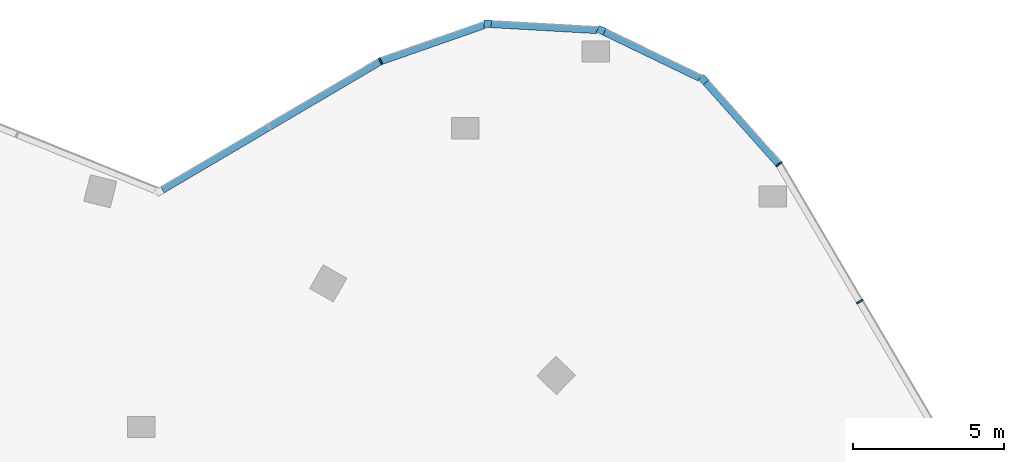
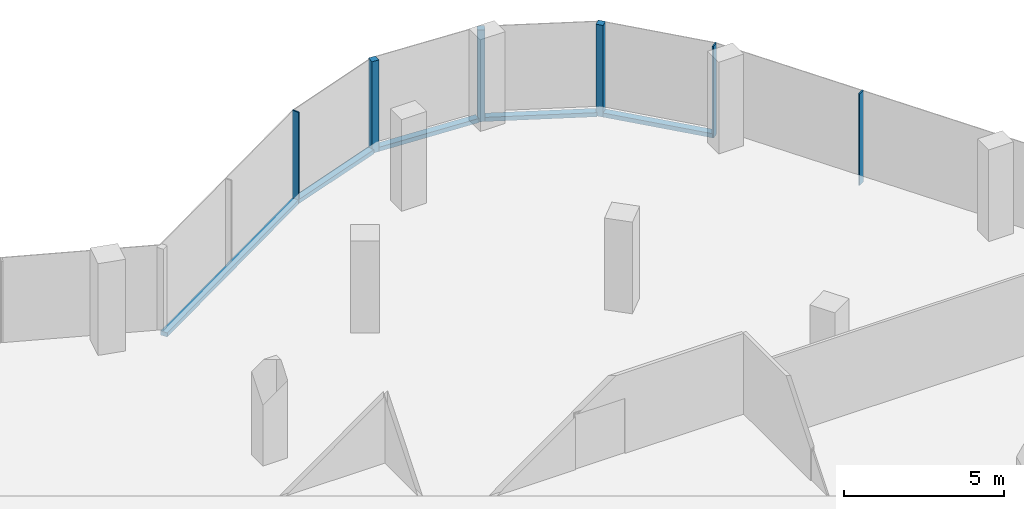
# One storey, part 9 of 15: 11 members, 6 elements without a shape of their own.
"""IFC4 building model written with IfcOpenShell, lengths in metres."""

import ifcopenshell
import ifcopenshell.guid

model = None  # the IFC model being written
_history = None  # IfcOwnerHistory: only IFC2X3 demands one
_inside = {}  # id of a spatial element -> (the spatial element, [elements in it])
_under = {}  # id of a project, library or spatial element -> (it, [spatial elements below it])
_declared = {}  # id of a project -> (the project, [libraries it declares])
_typed = {}  # id of a type object -> (the type object, [elements of that type])
_made_of = {}  # id of a material, layer set ... -> (it, [elements and type objects made of it])


def new_model(schema):
    """Start an empty IFC model of exactly this schema.

    Asked for "IFC4X3", IfcOpenShell would pick the latest addendum, in which some entities
    have other attributes; the version numbers below select the first issue.
    IFC2X3 requires an IfcOwnerHistory on every rooted entity: one is made here for all.
    """
    global model, _history
    if schema == "IFC4X3":
        model = ifcopenshell.file(schema_version=(4, 3, 0, 0))
    else:
        model = ifcopenshell.file(schema=schema)
    _inside.clear()
    _under.clear()
    _declared.clear()
    _typed.clear()
    _made_of.clear()
    _history = None
    if model.schema == "IFC2X3":
        org = make("IfcOrganization", Name="unknown")
        user = make(
            "IfcPersonAndOrganization",
            ThePerson=make("IfcPerson", FamilyName="unknown"),
            TheOrganization=org,
        )
        app = make(
            "IfcApplication",
            ApplicationDeveloper=org,
            Version="unknown",
            ApplicationFullName="unknown",
            ApplicationIdentifier="unknown",
        )
        _history = make(
            "IfcOwnerHistory",
            OwningUser=user,
            OwningApplication=app,
            ChangeAction="ADDED",
            CreationDate=0,
        )
    return model


def make(cls, **values):
    """One entity of the class cls with the attributes given. An attribute that is None is left unset."""
    return model.create_entity(
        cls, **{name: value for name, value in values.items() if value is not None}
    )


def rooted(cls, **values):
    """An entity with a GlobalId (a new one), such as an element, a storey or a relation."""
    return make(cls, GlobalId=ifcopenshell.guid.new(), OwnerHistory=_history, **values)


def si_unit(unit_type, name, prefix=None):
    """IfcSIUnit, for example si_unit("LENGTHUNIT", "METRE", prefix="MILLI")."""
    return make("IfcSIUnit", UnitType=unit_type, Prefix=prefix, Name=name)


def assignment(units):
    """IfcUnitAssignment: the units of a project."""
    return None if units is None else make("IfcUnitAssignment", Units=units)


def point(xyz):
    """IfcCartesianPoint."""
    return None if xyz is None else make("IfcCartesianPoint", Coordinates=xyz)


def direction(xyz):
    """IfcDirection."""
    return None if xyz is None else make("IfcDirection", DirectionRatios=xyz)


def frame(location, z_axis=None, x_axis=None):
    """IfcAxis2Placement3D, a coordinate frame: its origin and axes. An axis left out is left unset."""
    return make(
        "IfcAxis2Placement3D",
        Location=point(location),
        Axis=direction(z_axis),
        RefDirection=direction(x_axis),
    )


def frame_2d(location, x_axis=None):
    """IfcAxis2Placement2D, a coordinate frame in the plane: its origin and x axis."""
    return make(
        "IfcAxis2Placement2D", Location=point(location), RefDirection=direction(x_axis)
    )


def origin():
    """The frame at (0, 0, 0) with its axes left unset."""
    return frame((0.0, 0.0, 0.0))


def origin_2d():
    """The frame at (0, 0) in the plane with its x axis left unset."""
    return frame_2d((0.0, 0.0))


def place(relative_to, where):
    """IfcLocalPlacement: puts the frame where relative to a parent placement (None: the world)."""
    return make(
        "IfcLocalPlacement", PlacementRelTo=relative_to, RelativePlacement=where
    )


def context(
    kind, dimensions, precision=None, world=None, true_north=None, identifier=None
):
    """IfcGeometricRepresentationContext, for example the 3D "Model" context."""
    return make(
        "IfcGeometricRepresentationContext",
        ContextIdentifier=identifier,
        ContextType=kind,
        CoordinateSpaceDimension=dimensions,
        Precision=precision,
        WorldCoordinateSystem=world,
        TrueNorth=true_north,
    )


def subcontext(parent, identifier, kind, view, scale=None):
    """IfcGeometricRepresentationSubContext, for example "Body" below "Model"."""
    return make(
        "IfcGeometricRepresentationSubContext",
        ContextIdentifier=identifier,
        ContextType=kind,
        ParentContext=parent,
        TargetScale=scale,
        TargetView=view,
    )


def project(units=None, contexts=None):
    """IfcProject with its units and contexts."""
    return rooted(
        "IfcProject",
        Name="project",
        RepresentationContexts=contexts,
        UnitsInContext=assignment(units),
    )


def spatial(cls, under=None, at=None, **own):
    """A site, building, storey or space (cls), placed at a placement, below another one or the project."""
    s = rooted(cls, ObjectPlacement=at, **own)
    if under is not None:
        _under.setdefault(under.id(), (under, []))[1].append(s)
    return s


def profile(cls, at=None, kind="AREA", **sizes):
    """A parametric profile (cls). Its sizes go by their IFC names, for example OverallWidth=200.0."""
    return make(cls, ProfileType=kind, Position=at, **sizes)


def rectangle(**sizes):
    """IfcRectangleProfileDef."""
    return profile("IfcRectangleProfileDef", **sizes)


def extrude(swept, where, along, depth):
    """IfcExtrudedAreaSolid: the profile swept, set in the frame where, extruded along a direction by depth."""
    return make(
        "IfcExtrudedAreaSolid",
        SweptArea=swept,
        Position=where,
        ExtrudedDirection=direction(along),
        Depth=depth,
    )


def shape(context_of_items, identifier, shape_type, items):
    """IfcShapeRepresentation: the items that make up one representation, for example the "Body"."""
    return make(
        "IfcShapeRepresentation",
        ContextOfItems=context_of_items,
        RepresentationIdentifier=identifier,
        RepresentationType=shape_type,
        Items=items,
    )


def material(Name=None, Category=None):
    """IfcMaterial."""
    return make("IfcMaterial", Name=Name, Category=Category)


def material_profile(
    of_material, cross_section, Name=None, Category=None, Priority=None
):
    """IfcMaterialProfile: a cross section and its material."""
    return make(
        "IfcMaterialProfile",
        Name=Name,
        Material=of_material,
        Profile=cross_section,
        Priority=Priority,
        Category=Category,
    )


def profile_set(profiles, Name=None, composite=None):
    """IfcMaterialProfileSet."""
    return make(
        "IfcMaterialProfileSet",
        Name=Name,
        MaterialProfiles=profiles,
        CompositeProfile=composite,
    )


def made_of(thing, what):
    """Note that an element or type object is made of a material, layer set ...; save() writes the relation."""
    if what is not None:
        _made_of.setdefault(what.id(), (what, []))[1].append(thing)
    return thing


def type_object(cls, material=None, **own):
    """A type object (cls), such as IfcWallType, which elements share."""
    return made_of(rooted(cls, **own), material)


def element(
    cls,
    number,
    at=None,
    inside=None,
    cuts=None,
    type_object=None,
    material=None,
    context=None,
    identifier="Body",
    shape_type=None,
    held_by="IfcProductDefinitionShape",
    body=None,
    shapes=None,
    **own,
):
    """One element of the class cls, such as IfcWall. Its Tag is "e" and its number.

    at: its placement. inside: the storey or other place that contains it. cuts: it is an
    opening in that element (IfcRelVoidsElement). A single representation is given by context,
    identifier, shape_type and body (its items); several are given by shapes. held_by: the class
    of the entity that holds the representations. save() writes the other relations.
    """
    e = rooted(cls, Tag="e%d" % number, ObjectPlacement=at, **own)
    if body is not None:
        shapes = [shape(context, identifier, shape_type, body)]
    if shapes is not None:
        e.Representation = make(held_by, Representations=shapes)
    if inside is not None:
        _inside.setdefault(inside.id(), (inside, []))[1].append(e)
    if cuts is not None:
        rooted(
            "IfcRelVoidsElement", RelatingBuildingElement=cuts, RelatedOpeningElement=e
        )
    if type_object is not None:
        _typed.setdefault(type_object.id(), (type_object, []))[1].append(e)
    return made_of(e, material)


def aggregate(whole, parts):
    """IfcRelAggregates: a whole, such as a stair, and the parts it consists of."""
    return rooted("IfcRelAggregates", RelatingObject=whole, RelatedObjects=parts)


def save(model, path):
    """Write the relations noted so far, then the file.

    IfcRelAggregates (storeys below a building ...), IfcRelContainedInSpatialStructure (elements
    in a storey), IfcRelDefinesByType, IfcRelAssociatesMaterial and IfcRelDeclares: one each for
    every whole, place, type object, material and project.
    """
    for whole, parts in _under.values():
        aggregate(whole, parts)
    for where, things in _inside.values():
        rooted(
            "IfcRelContainedInSpatialStructure",
            RelatedElements=things,
            RelatingStructure=where,
        )
    for kind, things in _typed.values():
        rooted("IfcRelDefinesByType", RelatedObjects=things, RelatingType=kind)
    for what, things in _made_of.values():
        rooted("IfcRelAssociatesMaterial", RelatedObjects=things, RelatingMaterial=what)
    for by, libraries in _declared.values():
        rooted("IfcRelDeclares", RelatingContext=by, RelatedDefinitions=libraries)
    model.write(path)


model = new_model("IFC4")

# Units and contexts
model_context = context("Model", 3, precision=1e-05, world=origin(), true_north=direction((0.0, 1.0)))
body_context = subcontext(model_context, "Body", "Model", "MODEL_VIEW")
ifc_project = project(units=[si_unit("LENGTHUNIT", "METRE"), si_unit("AREAUNIT", "SQUARE_METRE"), si_unit("VOLUMEUNIT", "CUBIC_METRE"), si_unit("PLANEANGLEUNIT", "RADIAN"), si_unit("MASSUNIT", "GRAM", prefix="KILO")], contexts=[model_context])

# Site, building, storey
site_placement = place(None, origin())
site = spatial("IfcSite", under=ifc_project, at=site_placement, CompositionType="ELEMENT")
building_placement = place(site_placement, origin())
building = spatial("IfcBuilding", under=site, at=building_placement, Name="Orlundy Tower", CompositionType="ELEMENT")
storey_placement = place(building_placement, frame((0.0, 0.0, 278.89990234375)))
storey = spatial("IfcBuildingStorey", under=building, at=storey_placement, Name="L74", CompositionType="ELEMENT", Elevation=278.89990234375)

# Curtain wall, member
ifc_material_1 = material(Name="Aluminium bronze anodised", Category="aluminium")
curtain_wall_type = type_object("IfcCurtainWallType", Name="CW6 wall", PredefinedType="NOTDEFINED", material=ifc_material_1)
curtain_wall_1_placement = place(storey_placement, origin())
curtain_wall_1 = element("IfcCurtainWall", 1, at=curtain_wall_1_placement, inside=storey, type_object=curtain_wall_type, Name="CW6 run 020", PredefinedType="NOTDEFINED")
ifc_material_2 = material(Name="Aluminium bronze anodised", Category="aluminium")
ifc_material_profile_1 = material_profile(ifc_material_2, rectangle(XDim=0.239990234375, YDim=0.239990234375, at=origin_2d()), Name="CW6 corner post 240x240")
ifc_profile_set_1 = profile_set([ifc_material_profile_1], Name="Aluminium bronze anodised")
member_type_1 = type_object("IfcMemberType", Name="CW6 corner post 240x240", PredefinedType="MULLION", material=ifc_profile_set_1)
member_1_placement = place(storey_placement, frame((20.0419921875, 34.30908203125, -0.39990234375), z_axis=(0.0, 0.0, 1.0), x_axis=(0.056650299193, 0.998394082315, 0.0)))
member_1 = element("IfcMember", 2, at=member_1_placement, type_object=member_type_1, Name="CW6 mullion 42", PredefinedType="MULLION", context=body_context, shape_type="SweptSolid", body=[
    extrude(rectangle(XDim=0.239990234375, YDim=0.239990234375, at=origin_2d()), origin(), (0.0, 0.0, 1.0), 3.5),
])

curtain_wall_2_placement = place(storey_placement, origin())
curtain_wall_2 = element("IfcCurtainWall", 3, at=curtain_wall_2_placement, inside=storey, type_object=curtain_wall_type, Name="CW6 run 021", PredefinedType="NOTDEFINED")
member_2_placement = place(storey_placement, frame((23.79052734375, 34.096435546875, -0.39990234375), z_axis=(0.0, 0.0, 1.0), x_axis=(0.434326546158, 0.900755489188, 0.0)))
member_2 = element("IfcMember", 4, at=member_2_placement, type_object=member_type_1, Name="CW6 mullion 43", PredefinedType="MULLION", context=body_context, shape_type="SweptSolid", body=[
    extrude(rectangle(XDim=0.239990234375, YDim=0.239990234375, at=origin_2d()), origin(), (0.0, 0.0, 1.0), 3.5),
])

curtain_wall_3_placement = place(storey_placement, origin())
curtain_wall_3 = element("IfcCurtainWall", 5, at=curtain_wall_3_placement, inside=storey, type_object=curtain_wall_type, Name="CW6 run 022", PredefinedType="NOTDEFINED")
member_3_placement = place(storey_placement, frame((27.172607421875, 32.4658203125, -0.39990234375), z_axis=(0.0, 0.0, 1.0), x_axis=(0.746157794518, 0.665769138425, 0.0)))
member_3 = element("IfcMember", 6, at=member_3_placement, type_object=member_type_1, Name="CW6 mullion 44", PredefinedType="MULLION", context=body_context, shape_type="SweptSolid", body=[
    extrude(rectangle(XDim=0.239990234375, YDim=0.239990234375, at=origin_2d()), origin(), (0.0, 0.0, 1.0), 3.5),
])

curtain_wall_4_placement = place(storey_placement, origin())
curtain_wall_4 = element("IfcCurtainWall", 7, at=curtain_wall_4_placement, inside=storey, type_object=curtain_wall_type, Name="CW6 run 019", PredefinedType="NOTDEFINED")
ifc_material_3 = material(Name="Aluminium bronze anodised", Category="aluminium")
ifc_material_profile_2 = material_profile(ifc_material_3, rectangle(XDim=0.239990234375, YDim=0.050048828125, at=origin_2d()), Name="CW6 mullion 50x240")
ifc_profile_set_2 = profile_set([ifc_material_profile_2], Name="Aluminium bronze anodised")
member_type_2 = type_object("IfcMemberType", Name="CW6 mullion 50x240", PredefinedType="MULLION", material=ifc_profile_set_2)
member_4_placement = place(storey_placement, frame((16.50927734375, 33.075439453125, -0.39990234375), z_axis=(0.0, 0.0, 1.0), x_axis=(-0.420620734298, 0.907236572168, 0.0)))
member_4 = element("IfcMember", 8, at=member_4_placement, type_object=member_type_2, Name="CW6 mullion 41", PredefinedType="MULLION", context=body_context, shape_type="SweptSolid", body=[
    extrude(rectangle(XDim=0.239990234375, YDim=0.050048828125, at=origin_2d()), origin(), (0.0, 0.0, 1.0), 3.5),
])

# Curtain wall, members
curtain_wall_5_placement = place(storey_placement, origin())
curtain_wall_5 = element("IfcCurtainWall", 9, at=curtain_wall_5_placement, inside=storey, type_object=curtain_wall_type, Name="CW6 run 023", PredefinedType="NOTDEFINED")
member_5_placement = place(storey_placement, frame((29.664306640625, 29.673095703125, -0.39990234375), z_axis=(0.0, 0.0, 1.0), x_axis=(0.807779360228, 0.589484949078, 0.0)))
member_5 = element("IfcMember", 10, at=member_5_placement, type_object=member_type_2, Name="CW6 mullion 45", PredefinedType="MULLION", context=body_context, shape_type="SweptSolid", body=[
    extrude(rectangle(XDim=0.239990234375, YDim=0.050048828125, at=origin_2d()), origin(), (0.0, 0.0, 1.0), 3.5),
])
member_6_placement = place(storey_placement, frame((32.3349609375, 25.139404296875, -0.39990234375), z_axis=(0.0, 0.0, 1.0), x_axis=(0.861632919827, 0.507531980737, 0.0)))
member_6 = element("IfcMember", 11, at=member_6_placement, type_object=member_type_2, Name="CW6 mullion 46", PredefinedType="MULLION", context=body_context, shape_type="SweptSolid", body=[
    extrude(rectangle(XDim=0.239990234375, YDim=0.050048828125, at=origin_2d()), origin(), (0.0, 0.0, 1.0), 3.5),
])
aggregate(curtain_wall_5, [member_5, member_6])

# Curtain wall, member
curtain_wall_6_placement = place(storey_placement, origin())
curtain_wall_6 = element("IfcCurtainWall", 12, at=curtain_wall_6_placement, inside=storey, type_object=curtain_wall_type, Name="CW6 run 018", PredefinedType="NOTDEFINED")
ifc_material_4 = material(Name="Aluminium bronze anodised", Category="aluminium")
ifc_material_profile_3 = material_profile(ifc_material_4, rectangle(XDim=0.239990234375, YDim=0.159912109375, at=origin_2d()), Name="CW6 transom 240x160")
ifc_profile_set_3 = profile_set([ifc_material_profile_3], Name="Aluminium bronze anodised")
member_type_3 = type_object("IfcMemberType", Name="CW6 transom 240x160", PredefinedType="USERDEFINED", material=ifc_profile_set_3)
member_7_placement = place(storey_placement, frame((9.301513671875, 28.830322265625, -0.31982421875), z_axis=(0.861654135991, 0.507495960506, 0.0), x_axis=(-0.507495960506, 0.861654135991, 0.0)))
member_7 = element("IfcMember", 13, at=member_7_placement, type_object=member_type_3, Name="CW6 transom", ObjectType="TRANSOM", PredefinedType="USERDEFINED", context=body_context, shape_type="SweptSolid", body=[
    extrude(rectangle(XDim=0.239990234375, YDim=0.159912109375, at=origin_2d()), origin(), (0.0, 0.0, 1.0), 8.33984375),
])
aggregate(curtain_wall_6, [member_7])

# Member
member_8_placement = place(storey_placement, frame((16.532958984375, 33.083740234375, -0.31982421875), z_axis=(0.944088385931, 0.329692462076, 0.0), x_axis=(-0.329692462076, 0.944088385931, 0.0)))
member_8 = element("IfcMember", 14, at=member_8_placement, type_object=member_type_3, Name="CW6 transom", ObjectType="TRANSOM", PredefinedType="USERDEFINED", context=body_context, shape_type="SweptSolid", body=[
    extrude(rectangle(XDim=0.239990234375, YDim=0.159912109375, at=origin_2d()), origin(), (0.0, 0.0, 1.0), 3.5869140625),
])

aggregate(curtain_wall_4, [member_4, member_8])

member_9_placement = place(storey_placement, frame((20.161865234375, 34.30224609375, -0.31982421875), z_axis=(0.998394941321, -0.056635158198, 0.0), x_axis=(0.056635158198, 0.998394941321, 0.0)))
member_9 = element("IfcMember", 15, at=member_9_placement, type_object=member_type_3, Name="CW6 transom", ObjectType="TRANSOM", PredefinedType="USERDEFINED", context=body_context, shape_type="SweptSolid", body=[
    extrude(rectangle(XDim=0.239990234375, YDim=0.159912109375, at=origin_2d()), origin(), (0.0, 0.0, 1.0), 3.504638671875),
])

aggregate(curtain_wall_1, [member_1, member_9])

member_10_placement = place(storey_placement, frame((23.898681640625, 34.04443359375, -0.31982421875), z_axis=(0.900757488808, -0.434322399096, 0.0), x_axis=(0.434322399096, 0.900757488808, 0.0)))
member_10 = element("IfcMember", 16, at=member_10_placement, type_object=member_type_3, Name="CW6 transom", ObjectType="TRANSOM", PredefinedType="USERDEFINED", context=body_context, shape_type="SweptSolid", body=[
    extrude(rectangle(XDim=0.239990234375, YDim=0.159912109375, at=origin_2d()), origin(), (0.0, 0.0, 1.0), 3.5048828125),
])

aggregate(curtain_wall_2, [member_2, member_10])

member_11_placement = place(storey_placement, frame((27.25244140625, 32.376220703125, -0.31982421875), z_axis=(0.665790528863, -0.746138708067, 0.0), x_axis=(0.746138708067, 0.665790528863, 0.0)))
member_11 = element("IfcMember", 17, at=member_11_placement, type_object=member_type_3, Name="CW6 transom", ObjectType="TRANSOM", PredefinedType="USERDEFINED", context=body_context, shape_type="SweptSolid", body=[
    extrude(rectangle(XDim=0.239990234375, YDim=0.159912109375, at=origin_2d()), origin(), (0.0, 0.0, 1.0), 3.59765625),
])

aggregate(curtain_wall_3, [member_3, member_11])

save(model, "model.ifc")
